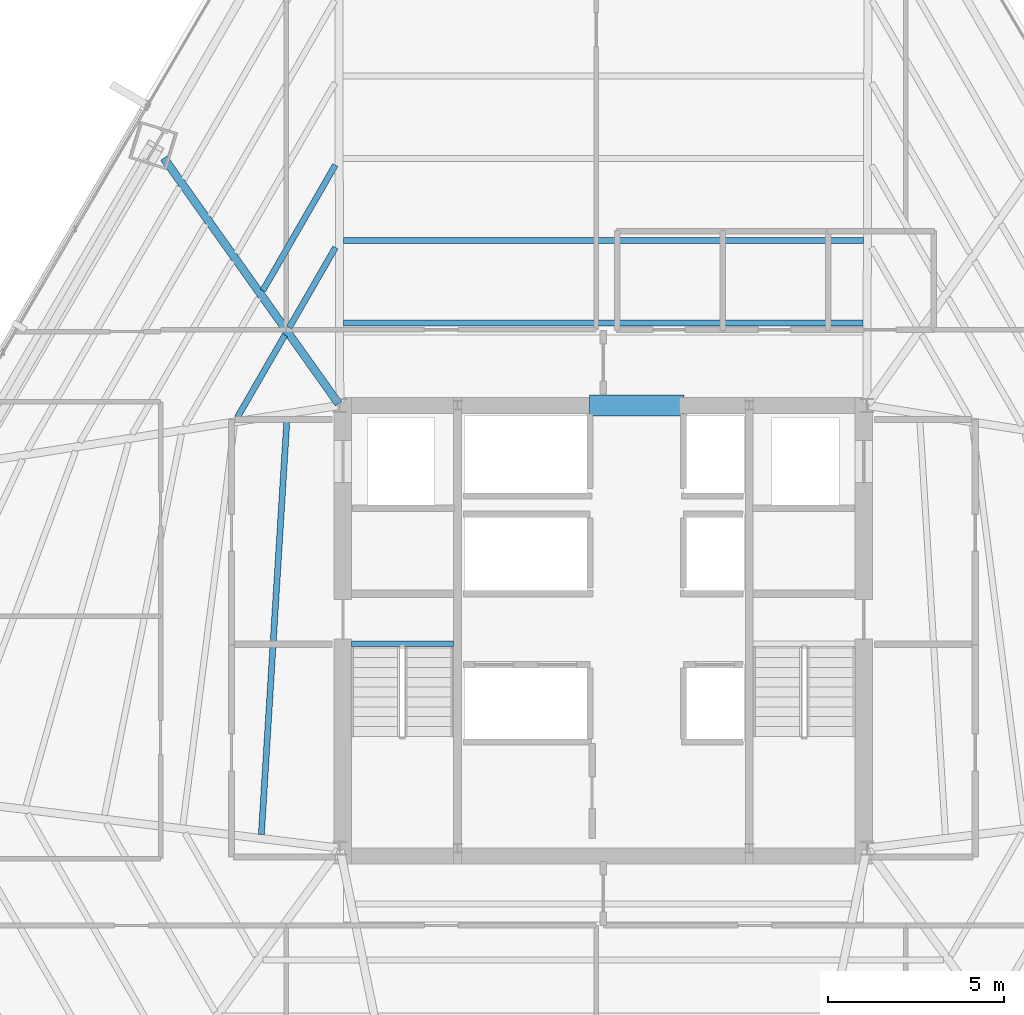
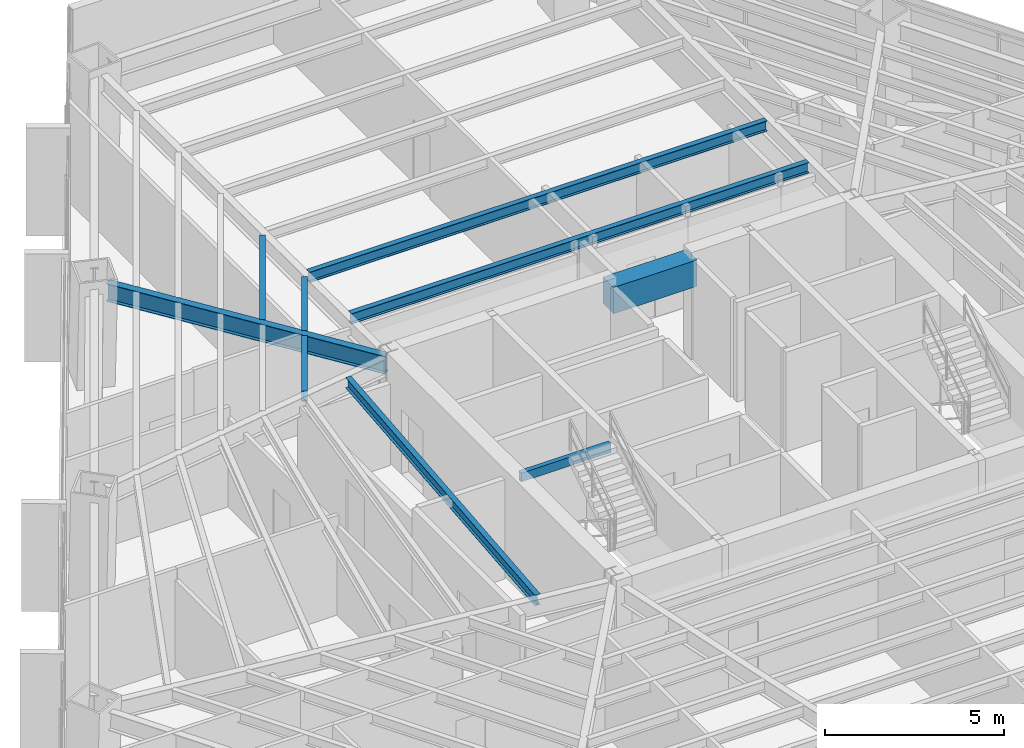
# One storey, part 15 of 35: 9 beams.
"""IFC4 building model written with IfcOpenShell, lengths in metres."""

from ifc_helpers import new_model, si_unit, direction, frame, origin, origin_2d, place, context, subcontext, project, spatial, rectangle, hollow_rectangle, i_section, extrude, source, transform, mapped, material, material_profile, profile_set, type_object, type_shapes, element, save


model = new_model("IFC4")

# Units and contexts
model_context = context("Model", 3, precision=1e-05, world=origin(), true_north=direction((0.0, 1.0)))
body_context = subcontext(model_context, "Body", "Model", "MODEL_VIEW")
ifc_project = project(units=[si_unit("LENGTHUNIT", "METRE"), si_unit("AREAUNIT", "SQUARE_METRE"), si_unit("VOLUMEUNIT", "CUBIC_METRE"), si_unit("PLANEANGLEUNIT", "RADIAN"), si_unit("MASSUNIT", "GRAM", prefix="KILO")], contexts=[model_context])

# Site, building, storey
site_placement = place(None, origin())
site = spatial("IfcSite", under=ifc_project, at=site_placement, CompositionType="ELEMENT")
building_placement = place(site_placement, origin())
building = spatial("IfcBuilding", under=site, at=building_placement, Name="Caelisora Broadcast Tower", CompositionType="ELEMENT")
storey_placement = place(building_placement, frame((0.0, 0.0, 98.10009765625)))
storey = spatial("IfcBuildingStorey", under=building, at=storey_placement, Name="L25", CompositionType="ELEMENT", Elevation=98.10009765625)

# Beams
ifc_material_1 = material(Name="Steel Grade 350 (AS/NZS 1163 C350L0)", Category="steel")
ifc_material_profile_1 = material_profile(ifc_material_1, hollow_rectangle(XDim=0.14990234375, YDim=0.300048828125, WallThickness=0.010009765625, at=origin_2d()), Name="Steel Grade 350 (AS/NZS 1163 C350L0)")
ifc_profile_set_1 = profile_set([ifc_material_profile_1], Name="Steel Grade 350 (AS/NZS 1163 C350L0)")
beam_type_1 = type_object("IfcBeamType", Name="SB05", PredefinedType="JOIST", material=ifc_profile_set_1)
shared_shape_1 = source(origin(), body_context, "Body", "SweptSolid", [
    extrude(hollow_rectangle(XDim=0.14990234375, YDim=0.300048828125, WallThickness=0.010009765625, at=origin_2d()), origin(), (0.0, 0.0, 1.0), 2.89990234375),
])
type_shapes(beam_type_1, [shared_shape_1])
beam_1_placement = place(storey_placement, frame((30.840087890625, 23.219970703125, 3.25), z_axis=(1.0, 0.0, 0.0), x_axis=(0.0, 1.0, 0.0)))
element("IfcBeam", 1, at=beam_1_placement, inside=storey, type_object=beam_type_1, Name="L25 beam SB05", PredefinedType="JOIST", context=body_context, shape_type="MappedRepresentation", body=[
    mapped(shared_shape_1, transform((0.0, 0.0, 0.0), scale=1.0)),
])
ifc_material_2 = material(Name="Concrete 50 MPa (AS 3600 S50)", Category="concrete")
ifc_material_profile_2 = material_profile(ifc_material_2, rectangle(XDim=0.60009765625, YDim=0.89990234375, at=origin_2d()), Name="Concrete 50 MPa (AS 3600 S50)")
ifc_profile_set_2 = profile_set([ifc_material_profile_2], Name="Concrete 50 MPa (AS 3600 S50)")
beam_type_2 = type_object("IfcBeamType", Name="CB02", PredefinedType="LINTEL", material=ifc_profile_set_2)
shared_shape_2 = source(origin(), body_context, "Body", "SweptSolid", [
    extrude(rectangle(XDim=0.60009765625, YDim=0.89990234375, at=origin_2d()), origin(), (0.0, 0.0, 1.0), 2.699951171875),
])
type_shapes(beam_type_2, [shared_shape_2])
beam_2_placement = place(storey_placement, frame((37.60009765625, 30.0, 2.949951171875), z_axis=(1.0, 0.0, 0.0), x_axis=(0.0, 1.0, 0.0)))
element("IfcBeam", 2, at=beam_2_placement, inside=storey, type_object=beam_type_2, Name="L25 beam CB02", PredefinedType="LINTEL", context=body_context, shape_type="MappedRepresentation", body=[
    mapped(shared_shape_2, transform((0.0, 0.0, 0.0), scale=1.0)),
])
ifc_material_3 = material(Name="Steel Grade 350 (AS/NZS 3679.1)", Category="steel")
ifc_material_profile_3 = material_profile(ifc_material_3, i_section(OverallWidth=0.22802734375, OverallDepth=0.602294921875, WebThickness=0.010498046875, FlangeThickness=0.014892578125, at=origin_2d()), Name="Steel Grade 350 (AS/NZS 3679.1)")
ifc_profile_set_3 = profile_set([ifc_material_profile_3], Name="Steel Grade 350 (AS/NZS 3679.1)")
beam_type_3 = type_object("IfcBeamType", Name="PG04", PredefinedType="BEAM", material=ifc_profile_set_3)
shared_shape_3 = source(origin(), body_context, "Body", "SweptSolid", [
    extrude(i_section(OverallWidth=0.22802734375, OverallDepth=0.602294921875, WebThickness=0.010498046875, FlangeThickness=0.014892578125, at=origin_2d()), origin(), (0.0, 0.0, 1.0), 8.575439453125),
])
type_shapes(beam_type_3, [shared_shape_3])
beam_3_placement = place(storey_placement, frame((30.465087890625, 30.048828125, 3.098876953125), z_axis=(-0.579815356656, 0.814747907138, 0.0), x_axis=(-0.814747907138, -0.579815356656, 0.0)))
element("IfcBeam", 3, at=beam_3_placement, inside=storey, type_object=beam_type_3, Name="L25 beam PG04", PredefinedType="BEAM", context=body_context, shape_type="MappedRepresentation", body=[
    mapped(shared_shape_3, transform((0.0, 0.0, 0.0), scale=1.0)),
])
ifc_material_profile_4 = material_profile(ifc_material_3, i_section(OverallWidth=0.172119140625, OverallDepth=0.358642578125, WebThickness=0.008056640625, FlangeThickness=0.012939453125, at=origin_2d()), Name="Steel Grade 350 (AS/NZS 3679.1)")
ifc_profile_set_4 = profile_set([ifc_material_profile_4], Name="Steel Grade 350 (AS/NZS 3679.1)")
beam_type_4 = type_object("IfcBeamType", Name="SB02", PredefinedType="JOIST", material=ifc_profile_set_4)
shared_shape_4 = source(origin(), body_context, "Body", "SweptSolid", [
    extrude(i_section(OverallWidth=0.172119140625, OverallDepth=0.358642578125, WebThickness=0.008056640625, FlangeThickness=0.012939453125, at=origin_2d()), origin(), (0.0, 0.0, 1.0), 14.78955078125),
])
beam_4_placement = place(storey_placement, frame((45.394775390625, 32.34326171875, 3.220703125), z_axis=(-1.0, 0.0, 0.0), x_axis=(0.0, -1.0, 0.0)))
element("IfcBeam", 4, at=beam_4_placement, inside=storey, type_object=beam_type_4, Name="L25 beam SB02", PredefinedType="JOIST", context=body_context, shape_type="MappedRepresentation", body=[
    mapped(shared_shape_4, transform((0.0, 0.0, 0.0), scale=1.0)),
])
shared_shape_5 = source(origin(), body_context, "Body", "SweptSolid", [
    extrude(i_section(OverallWidth=0.172119140625, OverallDepth=0.358642578125, WebThickness=0.008056640625, FlangeThickness=0.012939453125, at=origin_2d()), origin(), (0.0, 0.0, 1.0), 14.80078125),
])
beam_5_placement = place(storey_placement, frame((45.400390625, 34.686279296875, 3.220703125), z_axis=(-1.0, 0.0, 0.0), x_axis=(0.0, -1.0, 0.0)))
element("IfcBeam", 5, at=beam_5_placement, inside=storey, type_object=beam_type_4, Name="L25 beam SB02", PredefinedType="JOIST", context=body_context, shape_type="MappedRepresentation", body=[
    mapped(shared_shape_5, transform((0.0, 0.0, 0.0), scale=1.0)),
])
shared_shape_6 = source(origin(), body_context, "Body", "SweptSolid", [
    extrude(i_section(OverallWidth=0.172119140625, OverallDepth=0.358642578125, WebThickness=0.008056640625, FlangeThickness=0.012939453125, at=origin_2d()), origin(), (0.0, 0.0, 1.0), 2.631103515625),
])
beam_6_placement = place(storey_placement, frame((30.37646484375, 34.492431640625, 3.220703125), z_axis=(-0.499971461383, -0.866041879935, 0.0), x_axis=(0.866041879935, -0.499971461383, 0.0)))
element("IfcBeam", 6, at=beam_6_placement, inside=storey, type_object=beam_type_4, Name="L25 beam SB02", PredefinedType="JOIST", context=body_context, shape_type="MappedRepresentation", body=[
    mapped(shared_shape_6, transform((0.0, 0.0, 0.0), scale=1.0)),
])
shared_shape_7 = source(origin(), body_context, "Body", "SweptSolid", [
    extrude(i_section(OverallWidth=0.172119140625, OverallDepth=0.358642578125, WebThickness=0.008056640625, FlangeThickness=0.012939453125, at=origin_2d()), origin(), (0.0, 0.0, 1.0), 4.119873046875),
])
beam_7_placement = place(storey_placement, frame((30.370849609375, 36.835693359375, 3.220703125), z_axis=(-0.50002680699, -0.866009926209, 0.0), x_axis=(0.866009926209, -0.50002680699, 0.0)))
element("IfcBeam", 7, at=beam_7_placement, inside=storey, type_object=beam_type_4, Name="L25 beam SB02", PredefinedType="JOIST", context=body_context, shape_type="MappedRepresentation", body=[
    mapped(shared_shape_7, transform((0.0, 0.0, 0.0), scale=1.0)),
])
shared_shape_8 = source(origin(), body_context, "Body", "SweptSolid", [
    extrude(i_section(OverallWidth=0.172119140625, OverallDepth=0.358642578125, WebThickness=0.008056640625, FlangeThickness=0.012939453125, at=origin_2d()), origin(), (0.0, 0.0, 1.0), 2.711669921875),
])
beam_8_placement = place(storey_placement, frame((28.938720703125, 32.002197265625, 3.220703125), z_axis=(-0.499964059464, -0.866046153068, 0.0), x_axis=(0.866046153068, -0.499964059464, 0.0)))
element("IfcBeam", 8, at=beam_8_placement, inside=storey, type_object=beam_type_4, Name="L25 beam SB02", PredefinedType="JOIST", context=body_context, shape_type="MappedRepresentation", body=[
    mapped(shared_shape_8, transform((0.0, 0.0, 0.0), scale=1.0)),
])
shared_shape_9 = source(origin(), body_context, "Body", "SweptSolid", [
    extrude(i_section(OverallWidth=0.172119140625, OverallDepth=0.358642578125, WebThickness=0.008056640625, FlangeThickness=0.012939453125, at=origin_2d()), origin(), (0.0, 0.0, 1.0), 11.886962890625),
])
type_shapes(beam_type_4, [shared_shape_4, shared_shape_5, shared_shape_6, shared_shape_7, shared_shape_8, shared_shape_9])
beam_9_placement = place(storey_placement, frame((28.99853515625, 29.651123046875, 3.220703125), z_axis=(-0.061451229115, -0.998110087335, 0.0), x_axis=(0.998110087335, -0.061451229115, 0.0)))
element("IfcBeam", 9, at=beam_9_placement, inside=storey, type_object=beam_type_4, Name="L25 beam SB02", PredefinedType="JOIST", context=body_context, shape_type="MappedRepresentation", body=[
    mapped(shared_shape_9, transform((0.0, 0.0, 0.0), scale=1.0)),
])

save(model, "model.ifc")
